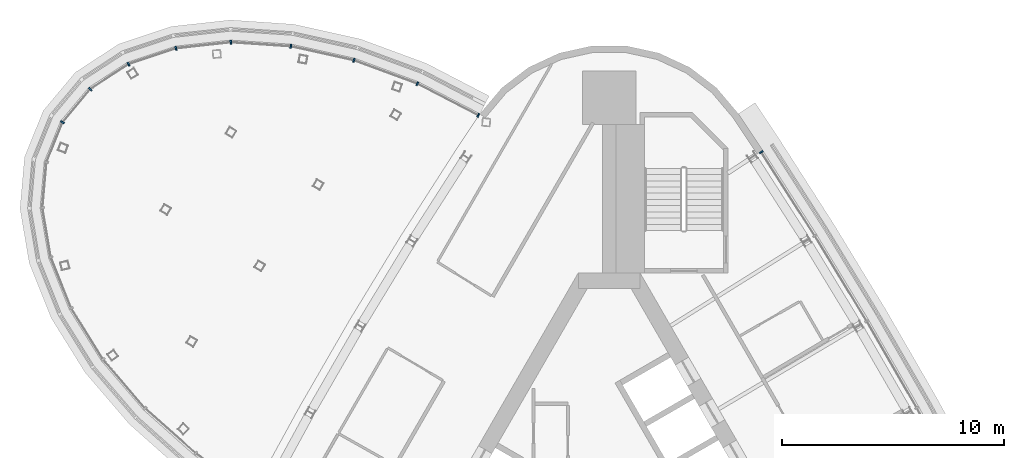
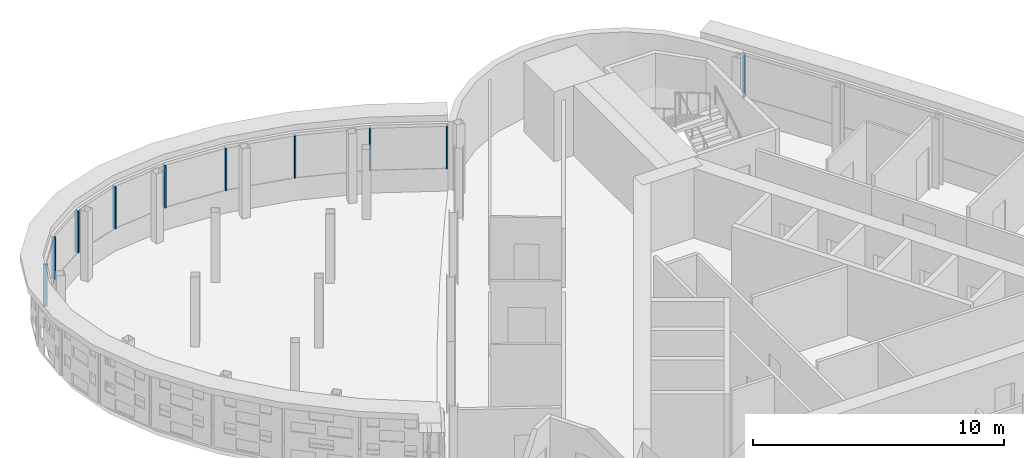
# One storey, part 7 of 13: 10 members, 2 elements without a shape of their own.
"""IFC4 building model written with IfcOpenShell, lengths in metres."""

from ifc_helpers import new_model, si_unit, direction, frame, origin, origin_2d, place, context, subcontext, project, spatial, rectangle, extrude, material, material_profile, profile_set, type_object, element, aggregate, save


model = new_model("IFC4")

# Units and contexts
model_context = context("Model", 3, precision=1e-05, world=origin(), true_north=direction((0.0, 1.0)))
body_context = subcontext(model_context, "Body", "Model", "MODEL_VIEW")
ifc_project = project(units=[si_unit("LENGTHUNIT", "METRE"), si_unit("AREAUNIT", "SQUARE_METRE"), si_unit("VOLUMEUNIT", "CUBIC_METRE"), si_unit("PLANEANGLEUNIT", "RADIAN"), si_unit("MASSUNIT", "GRAM", prefix="KILO")], contexts=[model_context])

# Site, building, storey
site_placement = place(None, origin())
site = spatial("IfcSite", under=ifc_project, at=site_placement, CompositionType="ELEMENT")
building_placement = place(site_placement, origin())
building = spatial("IfcBuilding", under=site, at=building_placement, Name="Noor Cloister Tower", CompositionType="ELEMENT")
storey_placement = place(building_placement, frame((0.0, 0.0, 263.39990234375)))
storey = spatial("IfcBuildingStorey", under=building, at=storey_placement, Name="L67", CompositionType="ELEMENT", Elevation=263.39990234375)

# Curtain wall, member
ifc_material_1 = material(Name="Aluminium 6063-T6 anodised", Category="aluminium")
curtain_wall_type_1 = type_object("IfcCurtainWallType", Name="Ribbon curtain wall, upper tower CW5", PredefinedType="NOTDEFINED", material=ifc_material_1)
curtain_wall_1_placement = place(storey_placement, origin())
curtain_wall_1 = element("IfcCurtainWall", 1, at=curtain_wall_1_placement, inside=storey, type_object=curtain_wall_type_1, Name="CW5 L67 NE run 4", PredefinedType="NOTDEFINED")
ifc_material_2 = material(Name="Aluminium 6063-T6 anodised", Category="aluminium")
ifc_material_profile_1 = material_profile(ifc_material_2, rectangle(XDim=0.179931640625, YDim=0.070068359375, at=origin_2d()), Name="180 x 70 mullion")
ifc_profile_set_1 = profile_set([ifc_material_profile_1], Name="Aluminium 6063-T6 anodised")
member_type_1 = type_object("IfcMemberType", Name="Mullion CW5 70 x 180", PredefinedType="MULLION", material=ifc_profile_set_1)
member_1_placement = place(storey_placement, frame((6.8359375, 16.884033203125, 1.10009765625), z_axis=(0.0, 0.0, 1.0), x_axis=(-0.841909869013, -0.539618172839, 0.0)))
member_1 = element("IfcMember", 2, at=member_1_placement, type_object=member_type_1, Name="CW5 mullion 6", PredefinedType="MULLION", context=body_context, shape_type="SweptSolid", body=[
    extrude(rectangle(XDim=0.179931640625, YDim=0.070068359375, at=origin_2d()), origin(), (0.0, 0.0, 1.0), 2.050048828125),
])
aggregate(curtain_wall_1, [member_1])

# Curtain wall, members
ifc_material_3 = material(Name="Aluminium 6063-T6 anodised", Category="aluminium")
curtain_wall_type_2 = type_object("IfcCurtainWallType", Name="Sky bar curtain wall, upper bars CW6", PredefinedType="NOTDEFINED", material=ifc_material_3)
curtain_wall_2_placement = place(storey_placement, origin())
curtain_wall_2 = element("IfcCurtainWall", 3, at=curtain_wall_2_placement, inside=storey, type_object=curtain_wall_type_2, Name="CW6 L67 NW sky bar run 1", PredefinedType="NOTDEFINED")
ifc_material_4 = material(Name="Aluminium 6063-T6 anodised", Category="aluminium")
ifc_material_profile_2 = material_profile(ifc_material_4, rectangle(XDim=0.179931640625, YDim=0.070068359375, at=origin_2d()), Name="180 x 70 mullion")
ifc_profile_set_2 = profile_set([ifc_material_profile_2], Name="Aluminium 6063-T6 anodised")
member_type_2 = type_object("IfcMemberType", Name="Mullion CW6 70 x 180", PredefinedType="MULLION", material=ifc_profile_set_2)
member_2_placement = place(storey_placement, frame((-5.886962890625, 18.536865234375, 1.10009765625), z_axis=(0.0, 0.0, 1.0), x_axis=(-0.46081220448, -0.887497668843, 0.0)))
member_2 = element("IfcMember", 4, at=member_2_placement, type_object=member_type_2, Name="CW6 mullion 1", PredefinedType="MULLION", context=body_context, shape_type="SweptSolid", body=[
    extrude(rectangle(XDim=0.179931640625, YDim=0.070068359375, at=origin_2d()), origin(), (0.0, 0.0, 1.0), 2.050048828125),
])
member_3_placement = place(storey_placement, frame((-8.625732421875, 19.958984375, 1.10009765625), z_axis=(0.0, 0.0, 1.0), x_axis=(-0.404177031861, -0.914680778696, 0.0)))
member_3 = element("IfcMember", 5, at=member_3_placement, type_object=member_type_2, Name="CW6 mullion 2", PredefinedType="MULLION", context=body_context, shape_type="SweptSolid", body=[
    extrude(rectangle(XDim=0.179931640625, YDim=0.070068359375, at=origin_2d()), origin(), (0.0, 0.0, 1.0), 2.050048828125),
])
member_4_placement = place(storey_placement, frame((-11.479736328125, 21.01123046875, 1.10009765625), z_axis=(0.0, 0.0, 1.0), x_axis=(-0.281957931584, -0.959426768866, 0.0)))
member_4 = element("IfcMember", 6, at=member_4_placement, type_object=member_type_2, Name="CW6 mullion 3", PredefinedType="MULLION", context=body_context, shape_type="SweptSolid", body=[
    extrude(rectangle(XDim=0.179931640625, YDim=0.070068359375, at=origin_2d()), origin(), (0.0, 0.0, 1.0), 2.050048828125),
])
member_5_placement = place(storey_placement, frame((-14.312255859375, 21.64013671875, 1.10009765625), z_axis=(0.0, 0.0, 1.0), x_axis=(-0.142274116321, -0.989827295959, 0.0)))
member_5 = element("IfcMember", 7, at=member_5_placement, type_object=member_type_2, Name="CW6 mullion 4", PredefinedType="MULLION", context=body_context, shape_type="SweptSolid", body=[
    extrude(rectangle(XDim=0.179931640625, YDim=0.070068359375, at=origin_2d()), origin(), (0.0, 0.0, 1.0), 2.050048828125),
])
member_6_placement = place(storey_placement, frame((-17.013671875, 21.821533203125, 1.10009765625), z_axis=(0.0, 0.0, 1.0), x_axis=(0.021295543387, -0.999773224202, 0.0)))
member_6 = element("IfcMember", 8, at=member_6_placement, type_object=member_type_2, Name="CW6 mullion 5", PredefinedType="MULLION", context=body_context, shape_type="SweptSolid", body=[
    extrude(rectangle(XDim=0.179931640625, YDim=0.070068359375, at=origin_2d()), origin(), (0.0, 0.0, 1.0), 2.050048828125),
])
member_7_placement = place(storey_placement, frame((-19.478759765625, 21.550048828125, 1.10009765625), z_axis=(0.0, 0.0, 1.0), x_axis=(0.214215849584, -0.976786348076, 0.0)))
member_7 = element("IfcMember", 9, at=member_7_placement, type_object=member_type_2, Name="CW6 mullion 6", PredefinedType="MULLION", context=body_context, shape_type="SweptSolid", body=[
    extrude(rectangle(XDim=0.179931640625, YDim=0.070068359375, at=origin_2d()), origin(), (0.0, 0.0, 1.0), 2.050048828125),
])
member_8_placement = place(storey_placement, frame((-21.612060546875, 20.838134765625, 1.10009765625), z_axis=(0.0, 0.0, 1.0), x_axis=(0.434972232459, -0.900443866651, 0.0)))
member_8 = element("IfcMember", 10, at=member_8_placement, type_object=member_type_2, Name="CW6 mullion 7", PredefinedType="MULLION", context=body_context, shape_type="SweptSolid", body=[
    extrude(rectangle(XDim=0.179931640625, YDim=0.070068359375, at=origin_2d()), origin(), (0.0, 0.0, 1.0), 2.050048828125),
])
member_9_placement = place(storey_placement, frame((-23.332763671875, 19.716064453125, 1.10009765625), z_axis=(0.0, 0.0, 1.0), x_axis=(0.663831714211, -0.747881979465, 0.0)))
member_9 = element("IfcMember", 11, at=member_9_placement, type_object=member_type_2, Name="CW6 mullion 8", PredefinedType="MULLION", context=body_context, shape_type="SweptSolid", body=[
    extrude(rectangle(XDim=0.179931640625, YDim=0.070068359375, at=origin_2d()), origin(), (0.0, 0.0, 1.0), 2.050048828125),
])
member_10_placement = place(storey_placement, frame((-24.578125, 18.227783203125, 1.10009765625), z_axis=(0.0, 0.0, 1.0), x_axis=(0.857566797188, -0.514372616262, 0.0)))
member_10 = element("IfcMember", 12, at=member_10_placement, type_object=member_type_2, Name="CW6 mullion 9", PredefinedType="MULLION", context=body_context, shape_type="SweptSolid", body=[
    extrude(rectangle(XDim=0.179931640625, YDim=0.070068359375, at=origin_2d()), origin(), (0.0, 0.0, 1.0), 2.050048828125),
])
aggregate(curtain_wall_2, [member_2, member_3, member_4, member_5, member_6, member_7, member_8, member_9, member_10])

save(model, "model.ifc")
